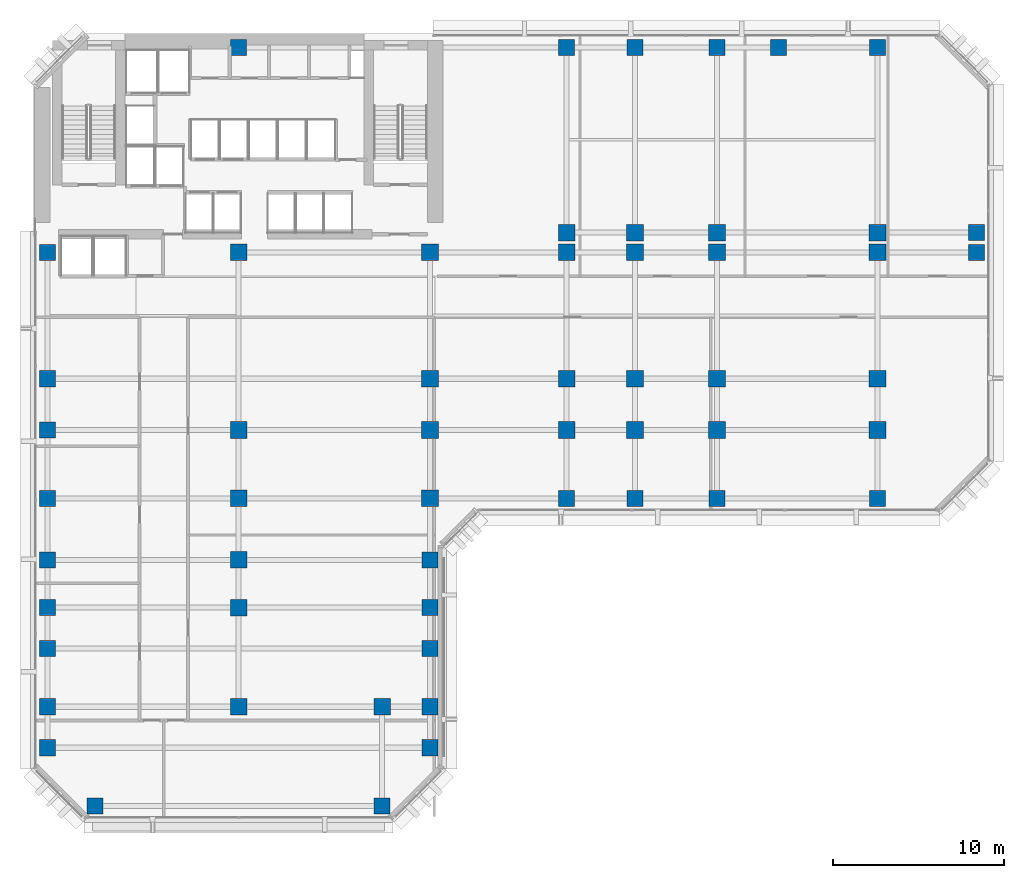
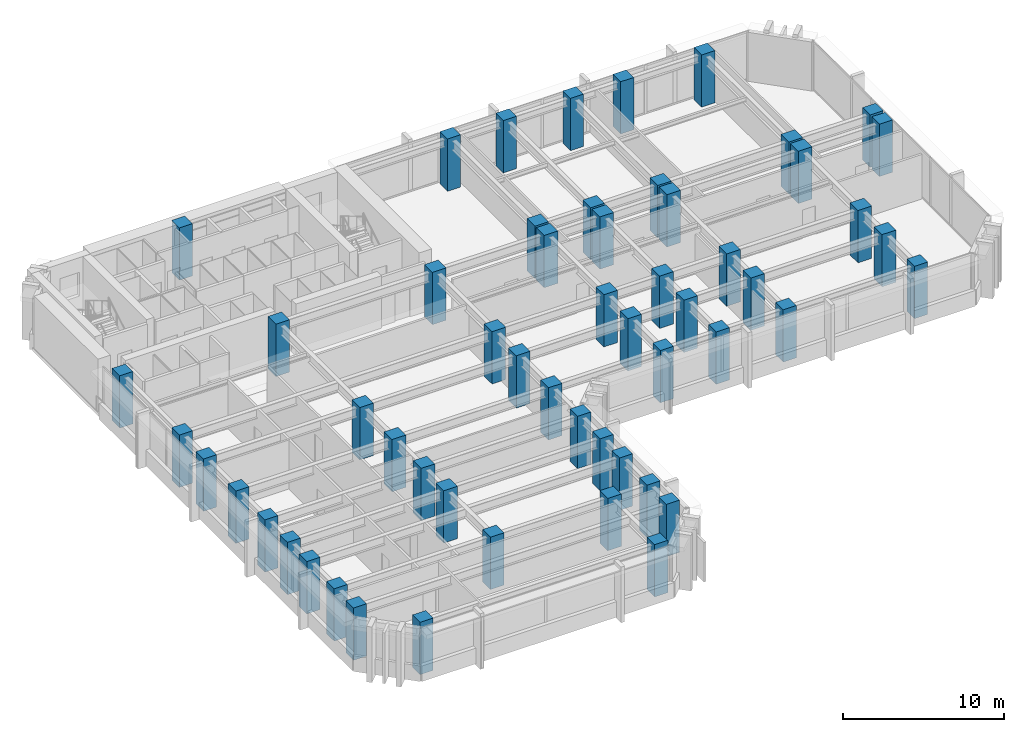
# One storey, part 1 of 14: 55 columns.
"""IFC4 building model written with IfcOpenShell, lengths in metres."""

from ifc_helpers import new_model, si_unit, direction, frame, origin, origin_2d, place, context, subcontext, project, spatial, rectangle, extrude, material, material_profile, profile_set, type_object, element, save


model = new_model("IFC4")

# Units and contexts
model_context = context("Model", 3, precision=1e-05, world=origin(), true_north=direction((0.0, 1.0)))
body_context = subcontext(model_context, "Body", "Model", "MODEL_VIEW")
ifc_project = project(units=[si_unit("LENGTHUNIT", "METRE"), si_unit("AREAUNIT", "SQUARE_METRE"), si_unit("VOLUMEUNIT", "CUBIC_METRE"), si_unit("PLANEANGLEUNIT", "RADIAN"), si_unit("MASSUNIT", "GRAM", prefix="KILO")], contexts=[model_context])

# Site, building, storey
site_placement = place(None, origin())
site = spatial("IfcSite", under=ifc_project, at=site_placement, CompositionType="ELEMENT")
building_placement = place(site_placement, origin())
building = spatial("IfcBuilding", under=site, at=building_placement, Name="Kefirva Bronze Tower", CompositionType="ELEMENT")
storey_placement = place(building_placement, frame((0.0, 0.0, 42.239990234375)))
storey = spatial("IfcBuildingStorey", under=building, at=storey_placement, Name="L09", CompositionType="ELEMENT", Elevation=42.239990234375)

# Columns
ifc_material = material(Name="Concrete C60/75", Category="concrete")
ifc_material_profile_1 = material_profile(ifc_material, rectangle(XDim=0.93994140625, YDim=0.93994140625, at=origin_2d()), Name="RC 940x940")
ifc_profile_set_1 = profile_set([ifc_material_profile_1], Name="Concrete C60/75")
column_type_1 = type_object("IfcColumnType", Name="RC Column 940x940 Ext", PredefinedType="COLUMN", material=ifc_profile_set_1)
for number, where, z_axis, x_axis, name in (
    (1, (0.800048828125, 4.199951171875, 0.0), (0.0, 0.0, 1.0), (1.0, 0.0, 0.0), "L09 Column C008_042"),
    (2, (0.800048828125, 6.60009765625, 0.0), (0.0, 0.0, 1.0), (1.0, 0.0, 0.0), "L09 Column C008_066"),
    (3, (0.800048828125, 10.0, 0.0), (0.0, 0.0, 1.0), (1.0, 0.0, 0.0), "L09 Column C008_100"),
    (4, (0.800048828125, 12.39990234375, 0.0), (0.0, 0.0, 1.0), (1.0, 0.0, 0.0), "L09 Column C008_124"),
    (5, (0.800048828125, 15.199951171875, 0.0), (0.0, 0.0, 1.0), (1.0, 0.0, 0.0), "L09 Column C008_152"),
    (6, (0.800048828125, 18.800048828125, 0.0), (0.0, 0.0, 1.0), (1.0, 0.0, 0.0), "L09 Column C008_188"),
    (7, (0.800048828125, 22.800048828125, 0.0), (0.0, 0.0, 1.0), (1.0, 0.0, 0.0), "L09 Column C008_228"),
    (8, (0.800048828125, 25.800048828125, 0.0), (0.0, 0.0, 1.0), (1.0, 0.0, 0.0), "L09 Column C008_258"),
    (9, (0.800048828125, 33.199951171875, 0.0), (0.0, 0.0, 1.0), (1.0, 0.0, 0.0), "L09 Column C008_332"),
    (10, (3.60009765625, 0.800048828125, 0.0), (0.0, 0.0, 1.0), (1.0, 0.0, 0.0), "L09 Column C036_008"),
    (11, (12.0, 45.199951171875, 0.0), (0.0, 0.0, 1.0), (1.0, 0.0, 0.0), "L09 Column C120_452"),
    (12, (20.39990234375, 0.800048828125, 0.0), (0.0, 0.0, 1.0), (1.0, 0.0, 0.0), "L09 Column C204_008"),
    (13, (23.199951171875, 4.199951171875, 0.0), (0.0, 0.0, 1.0), (1.0, 0.0, 0.0), "L09 Column C232_042"),
    (14, (23.199951171875, 6.60009765625, 0.0), (0.0, 0.0, 1.0), (1.0, 0.0, 0.0), "L09 Column C232_066"),
    (15, (23.199951171875, 10.0, 0.0), (0.0, 0.0, 1.0), (1.0, 0.0, 0.0), "L09 Column C232_100"),
    (16, (23.199951171875, 12.39990234375, 0.0), (0.0, 0.0, 1.0), (1.0, 0.0, 0.0), "L09 Column C232_124"),
    (17, (23.199951171875, 15.199951171875, 0.0), (0.0, 0.0, 1.0), (1.0, 0.0, 0.0), "L09 Column C232_152"),
    (18, (31.199951171875, 18.800048828125, 0.0), (0.0, 0.0, 1.0), (1.0, 0.0, 0.0), "L09 Column C312_188"),
    (19, (31.199951171875, 45.199951171875, 0.0), (0.0, 0.0, 1.0), (1.0, 0.0, 0.0), "L09 Column C312_452"),
    (20, (35.199951171875, 18.800048828125, 0.0), (0.0, 0.0, 1.0), (1.0, 0.0, 0.0), "L09 Column C352_188"),
    (21, (35.199951171875, 45.199951171875, 0.0), (0.0, 0.0, 1.0), (1.0, 0.0, 0.0), "L09 Column C352_452"),
    (22, (40.0, 18.800048828125, 0.0), (0.0, 0.0, 1.0), (1.0, 0.0, 0.0), "L09 Column C400_188"),
    (23, (40.0, 45.199951171875, 0.0), (0.0, 0.0, 1.0), (1.0, 0.0, 0.0), "L09 Column C400_452"),
    (24, (43.60009765625, 45.199951171875, 0.0), (0.0, 0.0, 1.0), (1.0, 0.0, 0.0), "L09 Column C436_452"),
    (25, (49.39990234375, 18.800048828125, 0.0), (0.0, 0.0, 1.0), (1.0, 0.0, 0.0), "L09 Column C494_188"),
    (26, (49.39990234375, 45.199951171875, 0.0), (0.0, 0.0, 1.0), (1.0, 0.0, 0.0), "L09 Column C494_452"),
    (27, (55.199951171875, 33.199951171875, 0.0), (0.0, 0.0, 1.0), (1.0, 0.0, 0.0), "L09 Column C552_332"),
    (28, (55.199951171875, 34.35009765625, 0.0), (0.0, 0.0, 1.0), (1.0, 0.0, 0.0), "L09 Column C552_344"),
):
    element("IfcColumn", number, at=place(storey_placement, frame(where, z_axis=z_axis, x_axis=x_axis)), inside=storey, type_object=column_type_1, Name=name, PredefinedType="COLUMN", context=body_context, shape_type="SweptSolid", body=[
        extrude(rectangle(XDim=0.93994140625, YDim=0.93994140625, at=origin_2d()), origin(), (0.0, 0.0, 1.0), 3.9599609375),
    ])
ifc_material_profile_2 = material_profile(ifc_material, rectangle(XDim=0.97998046875, YDim=0.97998046875, at=origin_2d()), Name="RC 980x980")
ifc_profile_set_2 = profile_set([ifc_material_profile_2], Name="Concrete C60/75")
column_type_2 = type_object("IfcColumnType", Name="RC Column 980x980 Int", PredefinedType="COLUMN", material=ifc_profile_set_2)
for number, where, z_axis, x_axis, name in (
    (29, (12.0, 6.60009765625, 0.0), (0.0, 0.0, 1.0), (1.0, 0.0, 0.0), "L09 Column C120_066"),
    (30, (12.0, 12.39990234375, 0.0), (0.0, 0.0, 1.0), (1.0, 0.0, 0.0), "L09 Column C120_124"),
    (31, (12.0, 15.199951171875, 0.0), (0.0, 0.0, 1.0), (1.0, 0.0, 0.0), "L09 Column C120_152"),
    (32, (12.0, 18.800048828125, 0.0), (0.0, 0.0, 1.0), (1.0, 0.0, 0.0), "L09 Column C120_188"),
    (33, (12.0, 22.800048828125, 0.0), (0.0, 0.0, 1.0), (1.0, 0.0, 0.0), "L09 Column C120_228"),
    (34, (12.0, 33.199951171875, 0.0), (0.0, 0.0, 1.0), (1.0, 0.0, 0.0), "L09 Column C120_332"),
    (35, (20.39990234375, 6.60009765625, 0.0), (0.0, 0.0, 1.0), (1.0, 0.0, 0.0), "L09 Column C204_066"),
    (36, (23.199951171875, 18.800048828125, 0.0), (0.0, 0.0, 1.0), (1.0, 0.0, 0.0), "L09 Column C232_188"),
    (37, (23.199951171875, 22.800048828125, 0.0), (0.0, 0.0, 1.0), (1.0, 0.0, 0.0), "L09 Column C232_228"),
    (38, (23.199951171875, 25.800048828125, 0.0), (0.0, 0.0, 1.0), (1.0, 0.0, 0.0), "L09 Column C232_258"),
    (39, (23.199951171875, 33.199951171875, 0.0), (0.0, 0.0, 1.0), (1.0, 0.0, 0.0), "L09 Column C232_332"),
    (40, (31.199951171875, 22.800048828125, 0.0), (0.0, 0.0, 1.0), (1.0, 0.0, 0.0), "L09 Column C312_228"),
    (41, (31.199951171875, 25.800048828125, 0.0), (0.0, 0.0, 1.0), (1.0, 0.0, 0.0), "L09 Column C312_258"),
    (42, (31.199951171875, 33.199951171875, 0.0), (0.0, 0.0, 1.0), (1.0, 0.0, 0.0), "L09 Column C312_332"),
    (43, (31.199951171875, 34.35009765625, 0.0), (0.0, 0.0, 1.0), (1.0, 0.0, 0.0), "L09 Column C312_344"),
    (44, (35.199951171875, 22.800048828125, 0.0), (0.0, 0.0, 1.0), (1.0, 0.0, 0.0), "L09 Column C352_228"),
    (45, (35.199951171875, 25.800048828125, 0.0), (0.0, 0.0, 1.0), (1.0, 0.0, 0.0), "L09 Column C352_258"),
    (46, (35.199951171875, 33.199951171875, 0.0), (0.0, 0.0, 1.0), (1.0, 0.0, 0.0), "L09 Column C352_332"),
    (47, (35.199951171875, 34.35009765625, 0.0), (0.0, 0.0, 1.0), (1.0, 0.0, 0.0), "L09 Column C352_344"),
    (48, (40.0, 22.800048828125, 0.0), (0.0, 0.0, 1.0), (1.0, 0.0, 0.0), "L09 Column C400_228"),
    (49, (40.0, 25.800048828125, 0.0), (0.0, 0.0, 1.0), (1.0, 0.0, 0.0), "L09 Column C400_258"),
    (50, (40.0, 33.199951171875, 0.0), (0.0, 0.0, 1.0), (1.0, 0.0, 0.0), "L09 Column C400_332"),
    (51, (40.0, 34.35009765625, 0.0), (0.0, 0.0, 1.0), (1.0, 0.0, 0.0), "L09 Column C400_344"),
    (52, (49.39990234375, 22.800048828125, 0.0), (0.0, 0.0, 1.0), (1.0, 0.0, 0.0), "L09 Column C494_228"),
    (53, (49.39990234375, 25.800048828125, 0.0), (0.0, 0.0, 1.0), (1.0, 0.0, 0.0), "L09 Column C494_258"),
    (54, (49.39990234375, 33.199951171875, 0.0), (0.0, 0.0, 1.0), (1.0, 0.0, 0.0), "L09 Column C494_332"),
    (55, (49.39990234375, 34.35009765625, 0.0), (0.0, 0.0, 1.0), (1.0, 0.0, 0.0), "L09 Column C494_344"),
):
    element("IfcColumn", number, at=place(storey_placement, frame(where, z_axis=z_axis, x_axis=x_axis)), inside=storey, type_object=column_type_2, Name=name, PredefinedType="COLUMN", context=body_context, shape_type="SweptSolid", body=[
        extrude(rectangle(XDim=0.97998046875, YDim=0.97998046875, at=origin_2d()), origin(), (0.0, 0.0, 1.0), 3.9599609375),
    ])

save(model, "model.ifc")
